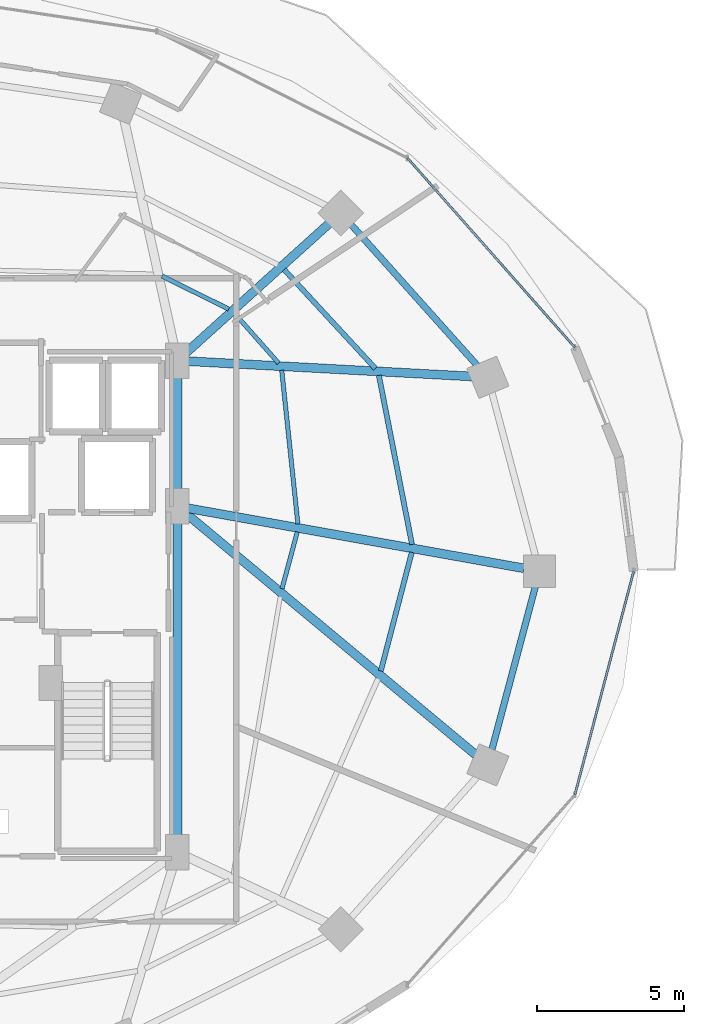
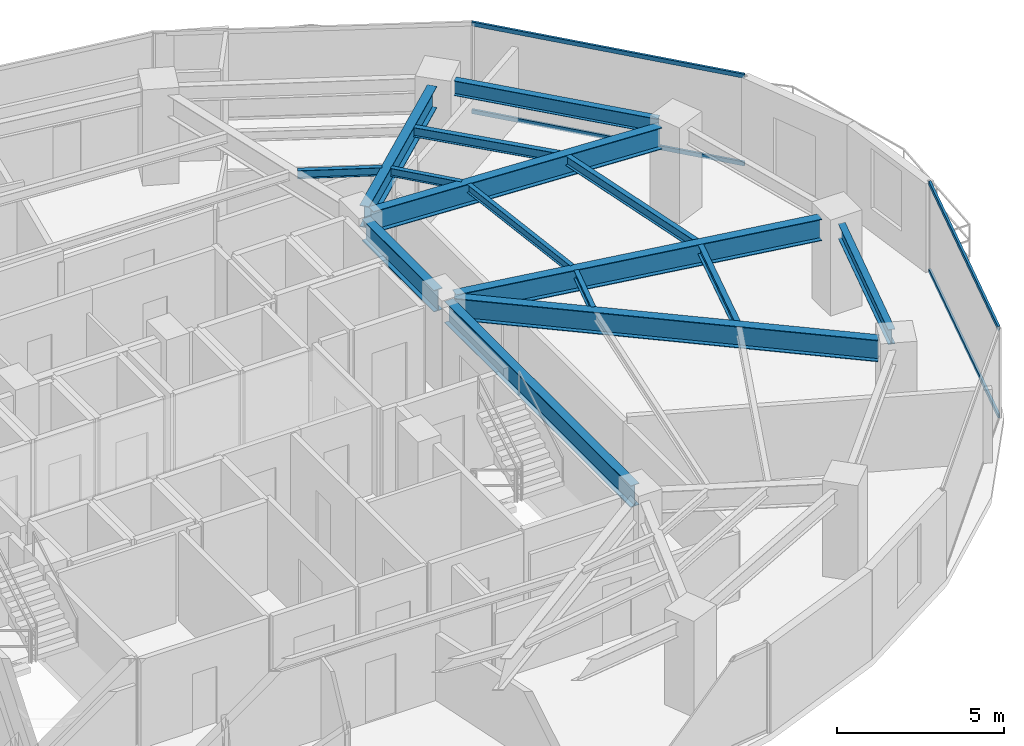
# One storey, part 15 of 30: 15 beams, 4 members, 2 elements without a shape of their own.
"""IFC4 building model written with IfcOpenShell, lengths in metres."""

from ifc_helpers import new_model, si_unit, direction, frame, origin, origin_2d, place, context, subcontext, project, spatial, hollow_rectangle, i_section, extrude, material, material_profile, profile_set, type_object, element, aggregate, save


model = new_model("IFC4")

# Units and contexts
model_context = context("Model", 3, precision=1e-05, world=origin(), true_north=direction((0.0, 1.0)))
body_context = subcontext(model_context, "Body", "Model", "MODEL_VIEW")
ifc_project = project(units=[si_unit("LENGTHUNIT", "METRE"), si_unit("AREAUNIT", "SQUARE_METRE"), si_unit("VOLUMEUNIT", "CUBIC_METRE"), si_unit("PLANEANGLEUNIT", "RADIAN"), si_unit("MASSUNIT", "GRAM", prefix="KILO")], contexts=[model_context])

# Site, building, storey
site_placement = place(None, origin())
site = spatial("IfcSite", under=ifc_project, at=site_placement, CompositionType="ELEMENT")
building_placement = place(site_placement, origin())
building = spatial("IfcBuilding", under=site, at=building_placement, Name="Vorneva Point Tower", CompositionType="ELEMENT")
storey_placement = place(building_placement, frame((0.0, 0.0, 78.800048828125)))
storey = spatial("IfcBuildingStorey", under=building, at=storey_placement, Name="L20", CompositionType="ELEMENT", Elevation=78.800048828125)

# Beams
ifc_material_1 = material(Name="Steel S355", Category="steel")
ifc_material_profile_1 = material_profile(ifc_material_1, i_section(OverallWidth=0.300048828125, OverallDepth=0.7880859375, WebThickness=0.014404296875, FlangeThickness=0.02197265625, at=origin_2d()), Name="80Sh1")
ifc_profile_set_1 = profile_set([ifc_material_profile_1], Name="Steel S355")
beam_type_1 = type_object("IfcBeamType", Name="BM-GRD-80Sh1", PredefinedType="USERDEFINED", material=ifc_profile_set_1)
beam_1_placement = place(storey_placement, frame((60.5205078125, 26.0947265625, 2.845947265625), z_axis=(-0.984378310682, 0.176066298476, 0.0), x_axis=(-0.176066298476, -0.984378310682, 0.0)))
element("IfcBeam", 1, at=beam_1_placement, inside=storey, type_object=beam_type_1, Name="L20 Radial Primary Girder 01", ObjectType="GIRDER", PredefinedType="USERDEFINED", context=body_context, shape_type="SweptSolid", body=[
    extrude(i_section(OverallWidth=0.300048828125, OverallDepth=0.7880859375, WebThickness=0.014404296875, FlangeThickness=0.02197265625, at=origin_2d()), origin(), (0.0, 0.0, 1.0), 11.6171875),
])
beam_2_placement = place(storey_placement, frame((58.75830078125, 32.611083984375, 2.845947265625), z_axis=(-0.998554075878, 0.053756465161, 0.0), x_axis=(-0.053756465161, -0.998554075878, 0.0)))
element("IfcBeam", 2, at=beam_2_placement, inside=storey, type_object=beam_type_1, Name="L20 Radial Primary Girder 02", ObjectType="GIRDER", PredefinedType="USERDEFINED", context=body_context, shape_type="SweptSolid", body=[
    extrude(i_section(OverallWidth=0.300048828125, OverallDepth=0.7880859375, WebThickness=0.014404296875, FlangeThickness=0.02197265625, at=origin_2d()), origin(), (0.0, 0.0, 1.0), 9.6826171875),
])
beam_3_placement = place(storey_placement, frame((53.899658203125, 37.801513671875, 2.845947265625), z_axis=(-0.742097300344, -0.670292172729, 0.0), x_axis=(0.670292172729, -0.742097300344, 0.0)))
element("IfcBeam", 3, at=beam_3_placement, inside=storey, type_object=beam_type_1, Name="L20 Radial Primary Girder 03", ObjectType="GIRDER", PredefinedType="USERDEFINED", context=body_context, shape_type="SweptSolid", body=[
    extrude(i_section(OverallWidth=0.300048828125, OverallDepth=0.7880859375, WebThickness=0.014404296875, FlangeThickness=0.02197265625, at=origin_2d()), origin(), (0.0, 0.0, 1.0), 6.599365234375),
])
beam_4_placement = place(storey_placement, frame((58.882080078125, 19.76220703125, 2.845947265625), z_axis=(-0.768431550428, 0.639931990376, 0.0), x_axis=(-0.639931990376, -0.768431550428, 0.0)))
element("IfcBeam", 4, at=beam_4_placement, inside=storey, type_object=beam_type_1, Name="L20 Radial Primary Girder 16", ObjectType="GIRDER", PredefinedType="USERDEFINED", context=body_context, shape_type="SweptSolid", body=[
    extrude(i_section(OverallWidth=0.300048828125, OverallDepth=0.7880859375, WebThickness=0.014404296875, FlangeThickness=0.02197265625, at=origin_2d()), origin(), (0.0, 0.0, 1.0), 12.845458984375),
])
beam_5_placement = place(storey_placement, frame((48.75, 16.77001953125, 2.845947265625), z_axis=(0.0, 1.0, 0.0), x_axis=(-1.0, 0.0, 0.0)))
element("IfcBeam", 5, at=beam_5_placement, inside=storey, type_object=beam_type_1, Name="L20 Core Tie Girder CT3", ObjectType="GIRDER", PredefinedType="USERDEFINED", context=body_context, shape_type="SweptSolid", body=[
    extrude(i_section(OverallWidth=0.300048828125, OverallDepth=0.7880859375, WebThickness=0.014404296875, FlangeThickness=0.02197265625, at=origin_2d()), origin(), (0.0, 0.0, 1.0), 11.10986328125),
])
beam_6_placement = place(storey_placement, frame((48.75, 28.52001953125, 2.845947265625), z_axis=(0.0, 1.0, 0.0), x_axis=(-1.0, 0.0, 0.0)))
element("IfcBeam", 6, at=beam_6_placement, inside=storey, type_object=beam_type_1, Name="L20 Core Tie Girder CT4", ObjectType="GIRDER", PredefinedType="USERDEFINED", context=body_context, shape_type="SweptSolid", body=[
    extrude(i_section(OverallWidth=0.300048828125, OverallDepth=0.7880859375, WebThickness=0.014404296875, FlangeThickness=0.02197265625, at=origin_2d()), origin(), (0.0, 0.0, 1.0), 4.31005859375),
])
ifc_material_profile_2 = material_profile(ifc_material_1, i_section(OverallWidth=0.14892578125, OverallDepth=0.298095703125, WebThickness=0.005615234375, FlangeThickness=0.008056640625, at=origin_2d()), Name="30B1")
ifc_profile_set_2 = profile_set([ifc_material_profile_2], Name="Steel S355")
beam_type_2 = type_object("IfcBeamType", Name="BM-JST-30B1", PredefinedType="JOIST", material=ifc_profile_set_2)
beam_7_placement = place(storey_placement, frame((52.843994140625, 27.602294921875, 3.091064453125), z_axis=(-0.10464604788, 0.994509529699, 0.0), x_axis=(-0.994509529699, -0.10464604788, 0.0)))
element("IfcBeam", 7, at=beam_7_placement, inside=storey, type_object=beam_type_2, Name="L20 Secondary Floor Beam 2.01", PredefinedType="JOIST", context=body_context, shape_type="SweptSolid", body=[
    extrude(i_section(OverallWidth=0.14892578125, OverallDepth=0.298095703125, WebThickness=0.005615234375, FlangeThickness=0.008056640625, at=origin_2d()), origin(), (0.0, 0.0, 1.0), 5.249267578125),
])
beam_8_placement = place(storey_placement, frame((52.188720703125, 33.063232421875, 3.091064453125), z_axis=(-0.662684826544, 0.748898404771, 0.0), x_axis=(-0.748898404771, -0.662684826544, 0.0)))
element("IfcBeam", 8, at=beam_8_placement, inside=storey, type_object=beam_type_2, Name="L20 Secondary Floor Beam 2.02", PredefinedType="JOIST", context=body_context, shape_type="SweptSolid", body=[
    extrude(i_section(OverallWidth=0.14892578125, OverallDepth=0.298095703125, WebThickness=0.005615234375, FlangeThickness=0.008056640625, at=origin_2d()), origin(), (0.0, 0.0, 1.0), 2.2314453125),
])
beam_9_placement = place(storey_placement, frame((50.49462890625, 34.89892578125, 3.091064453125), z_axis=(-0.896137449279, 0.443776601456, 0.0), x_axis=(-0.443776601456, -0.896137449279, 0.0)))
element("IfcBeam", 9, at=beam_9_placement, inside=storey, type_object=beam_type_2, Name="L20 Secondary Floor Beam 2.03", PredefinedType="JOIST", context=body_context, shape_type="SweptSolid", body=[
    extrude(i_section(OverallWidth=0.14892578125, OverallDepth=0.298095703125, WebThickness=0.005615234375, FlangeThickness=0.008056640625, at=origin_2d()), origin(), (0.0, 0.0, 1.0), 2.53125),
])
beam_10_placement = place(storey_placement, frame((52.304443359375, 25.403076171875, 3.091064453125), z_axis=(0.25952628154, 0.965736045299, 0.0), x_axis=(-0.965736045299, 0.25952628154, 0.0)))
element("IfcBeam", 10, at=beam_10_placement, inside=storey, type_object=beam_type_2, Name="L20 Secondary Floor Beam 2.16", PredefinedType="JOIST", context=body_context, shape_type="SweptSolid", body=[
    extrude(i_section(OverallWidth=0.14892578125, OverallDepth=0.298095703125, WebThickness=0.005615234375, FlangeThickness=0.008056640625, at=origin_2d()), origin(), (0.0, 0.0, 1.0), 1.9970703125),
])
ifc_material_profile_3 = material_profile(ifc_material_1, i_section(OverallWidth=0.174072265625, OverallDepth=0.345947265625, WebThickness=0.006103515625, FlangeThickness=0.009033203125, at=origin_2d()), Name="35B1")
ifc_profile_set_3 = profile_set([ifc_material_profile_3], Name="Steel S355")
beam_type_3 = type_object("IfcBeamType", Name="BM-SEC-35B1", PredefinedType="BEAM", material=ifc_profile_set_3)
beam_11_placement = place(storey_placement, frame((56.72021484375, 26.905029296875, 3.06689453125), z_axis=(-0.192456211841, 0.981305562261, 0.0), x_axis=(-0.981305562261, -0.192456211841, 0.0)))
element("IfcBeam", 11, at=beam_11_placement, inside=storey, type_object=beam_type_3, Name="L20 Secondary Floor Beam 1.01", PredefinedType="BEAM", context=body_context, shape_type="SweptSolid", body=[
    extrude(i_section(OverallWidth=0.174072265625, OverallDepth=0.345947265625, WebThickness=0.006103515625, FlangeThickness=0.009033203125, at=origin_2d()), origin(), (0.0, 0.0, 1.0), 5.851806640625),
])
beam_12_placement = place(storey_placement, frame((55.473876953125, 32.88427734375, 3.06689453125), z_axis=(-0.67812021116, 0.734951004637, 0.0), x_axis=(-0.734951004637, -0.67812021116, 0.0)))
element("IfcBeam", 12, at=beam_12_placement, inside=storey, type_object=beam_type_3, Name="L20 Secondary Floor Beam 1.02", PredefinedType="BEAM", context=body_context, shape_type="SweptSolid", body=[
    extrude(i_section(OverallWidth=0.174072265625, OverallDepth=0.345947265625, WebThickness=0.006103515625, FlangeThickness=0.009033203125, at=origin_2d()), origin(), (0.0, 0.0, 1.0), 4.566650390625),
])
beam_13_placement = place(storey_placement, frame((55.659423828125, 22.6083984375, 3.06689453125), z_axis=(0.252760882145, 0.967528778103, 0.0), x_axis=(-0.967528778103, 0.252760882145, 0.0)))
element("IfcBeam", 13, at=beam_13_placement, inside=storey, type_object=beam_type_3, Name="L20 Secondary Floor Beam 1.16", PredefinedType="BEAM", context=body_context, shape_type="SweptSolid", body=[
    extrude(i_section(OverallWidth=0.174072265625, OverallDepth=0.345947265625, WebThickness=0.006103515625, FlangeThickness=0.009033203125, at=origin_2d()), origin(), (0.0, 0.0, 1.0), 4.1630859375),
])
ifc_material_profile_4 = material_profile(ifc_material_1, i_section(OverallWidth=0.219970703125, OverallDepth=0.54296875, WebThickness=0.009521484375, FlangeThickness=0.013427734375, at=origin_2d()), Name="55B1")
ifc_profile_set_4 = profile_set([ifc_material_profile_4], Name="Steel S355")
beam_type_4 = type_object("IfcBeamType", Name="BM-SPN-55B1", PredefinedType="SPANDREL", material=ifc_profile_set_4)
beam_14_placement = place(storey_placement, frame((58.9384765625, 32.980712890625, 2.968505859375), z_axis=(-0.667073815664, 0.744991627105, 0.0), x_axis=(-0.744991627105, -0.667073815664, 0.0)))
element("IfcBeam", 14, at=beam_14_placement, inside=storey, type_object=beam_type_4, Name="L20 Perimeter Spandrel Ring Beam 02", PredefinedType="SPANDREL", context=body_context, shape_type="SweptSolid", body=[
    extrude(i_section(OverallWidth=0.219970703125, OverallDepth=0.54296875, WebThickness=0.009521484375, FlangeThickness=0.013427734375, at=origin_2d()), origin(), (0.0, 0.0, 1.0), 6.420166015625),
])
beam_15_placement = place(storey_placement, frame((59.43310546875, 19.934814453125, 2.968505859375), z_axis=(0.257572674071, 0.966258928845, 0.0), x_axis=(-0.966258928845, 0.257572674071, 0.0)))
element("IfcBeam", 15, at=beam_15_placement, inside=storey, type_object=beam_type_4, Name="L20 Perimeter Spandrel Ring Beam 16", PredefinedType="SPANDREL", context=body_context, shape_type="SweptSolid", body=[
    extrude(i_section(OverallWidth=0.219970703125, OverallDepth=0.54296875, WebThickness=0.009521484375, FlangeThickness=0.013427734375, at=origin_2d()), origin(), (0.0, 0.0, 1.0), 5.7421875),
])

# Curtain wall, members
ifc_material_2 = material(Name="Pale anodised aluminium", Category="aluminium")
curtain_wall_type = type_object("IfcCurtainWallType", Name="CW-HTL-SYS", PredefinedType="NOTDEFINED", material=ifc_material_2)
curtain_wall_1_placement = place(storey_placement, origin())
curtain_wall_1 = element("IfcCurtainWall", 16, at=curtain_wall_1_placement, inside=storey, type_object=curtain_wall_type, Name="L20 Unitised Curtain Wall CW-L20-R01", PredefinedType="NOTDEFINED")
ifc_material_profile_5 = material_profile(ifc_material_2, hollow_rectangle(XDim=0.074951171875, YDim=0.14990234375, WallThickness=0.00390625, at=origin_2d()), Name="AL-TRN 150x75x4")
ifc_profile_set_5 = profile_set([ifc_material_profile_5], Name="Pale anodised aluminium")
member_type = type_object("IfcMemberType", Name="CW-TRN-150", PredefinedType="USERDEFINED", material=ifc_profile_set_5)
member_1_placement = place(storey_placement, frame((62.251708984375, 33.59619140625, 0.02001953125), z_axis=(-0.662137326257, 0.74938251993, 0.0), x_axis=(-0.74938251993, -0.662137326257, 0.0)))
member_1 = element("IfcMember", 17, at=member_1_placement, type_object=member_type, Name="CW-L20-R01 Transom 01.1", ObjectType="TRANSOM", PredefinedType="USERDEFINED", context=body_context, shape_type="SweptSolid", body=[
    extrude(hollow_rectangle(XDim=0.074951171875, YDim=0.14990234375, WallThickness=0.00390625, at=origin_2d()), origin(), (0.0, 0.0, 1.0), 8.59375),
])
member_2_placement = place(storey_placement, frame((62.251708984375, 33.59619140625, 3.219970703125), z_axis=(-0.662137326257, 0.74938251993, 0.0), x_axis=(-0.74938251993, -0.662137326257, 0.0)))
member_2 = element("IfcMember", 18, at=member_2_placement, type_object=member_type, Name="CW-L20-R01 Transom 01.2", ObjectType="TRANSOM", PredefinedType="USERDEFINED", context=body_context, shape_type="SweptSolid", body=[
    extrude(hollow_rectangle(XDim=0.074951171875, YDim=0.14990234375, WallThickness=0.00390625, at=origin_2d()), origin(), (0.0, 0.0, 1.0), 8.59375),
])
aggregate(curtain_wall_1, [member_1, member_2])

curtain_wall_2_placement = place(storey_placement, origin())
curtain_wall_2 = element("IfcCurtainWall", 19, at=curtain_wall_2_placement, inside=storey, type_object=curtain_wall_type, Name="L20 Unitised Curtain Wall CW-L20-R04", PredefinedType="NOTDEFINED")
member_3_placement = place(storey_placement, frame((62.251708984375, 18.40380859375, 0.02001953125), z_axis=(0.254409150465, 0.967096677773, 0.0), x_axis=(-0.967096677773, 0.254409150465, 0.0)))
member_3 = element("IfcMember", 20, at=member_3_placement, type_object=member_type, Name="CW-L20-R04 Transom 02.1", ObjectType="TRANSOM", PredefinedType="USERDEFINED", context=body_context, shape_type="SweptSolid", body=[
    extrude(hollow_rectangle(XDim=0.074951171875, YDim=0.14990234375, WallThickness=0.00390625, at=origin_2d()), origin(), (0.0, 0.0, 1.0), 7.854736328125),
])
member_4_placement = place(storey_placement, frame((62.251708984375, 18.40380859375, 3.219970703125), z_axis=(0.254409150465, 0.967096677773, 0.0), x_axis=(-0.967096677773, 0.254409150465, 0.0)))
member_4 = element("IfcMember", 21, at=member_4_placement, type_object=member_type, Name="CW-L20-R04 Transom 02.2", ObjectType="TRANSOM", PredefinedType="USERDEFINED", context=body_context, shape_type="SweptSolid", body=[
    extrude(hollow_rectangle(XDim=0.074951171875, YDim=0.14990234375, WallThickness=0.00390625, at=origin_2d()), origin(), (0.0, 0.0, 1.0), 7.854736328125),
])
aggregate(curtain_wall_2, [member_3, member_4])

save(model, "model.ifc")
